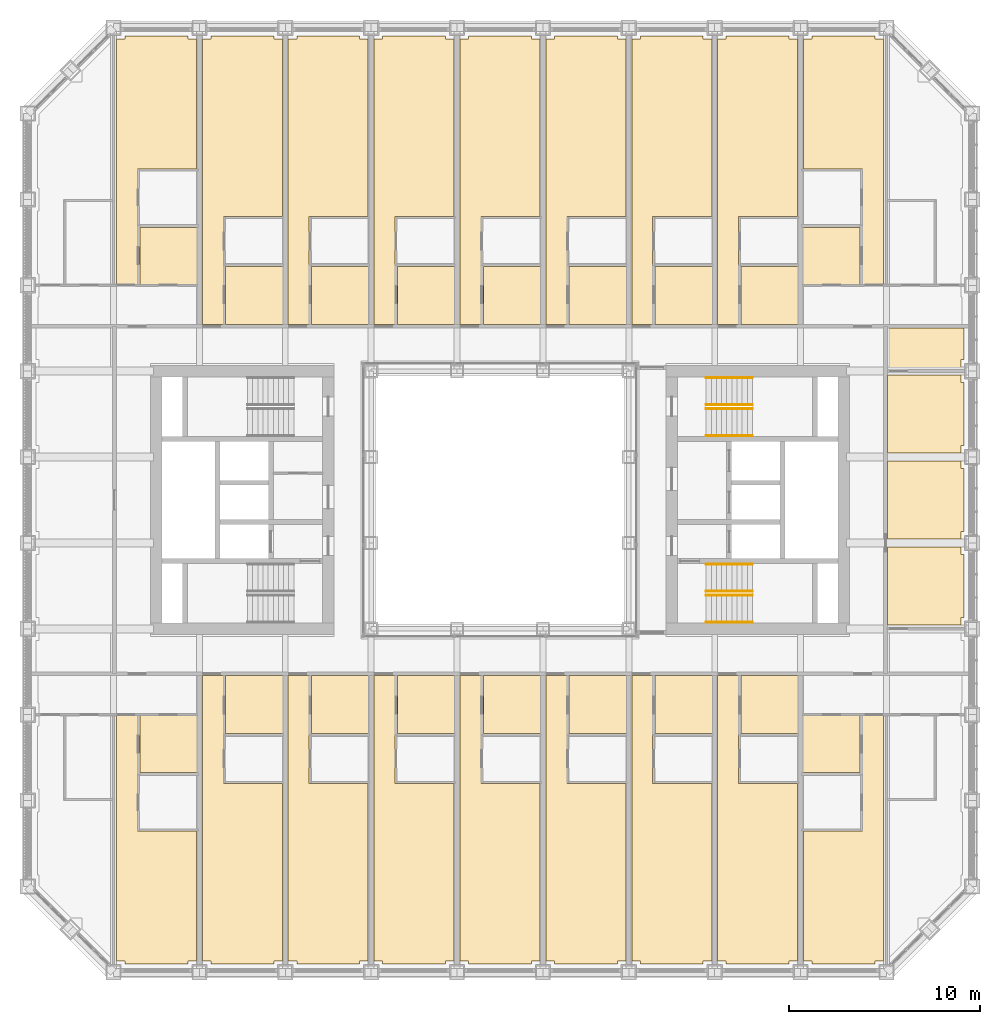
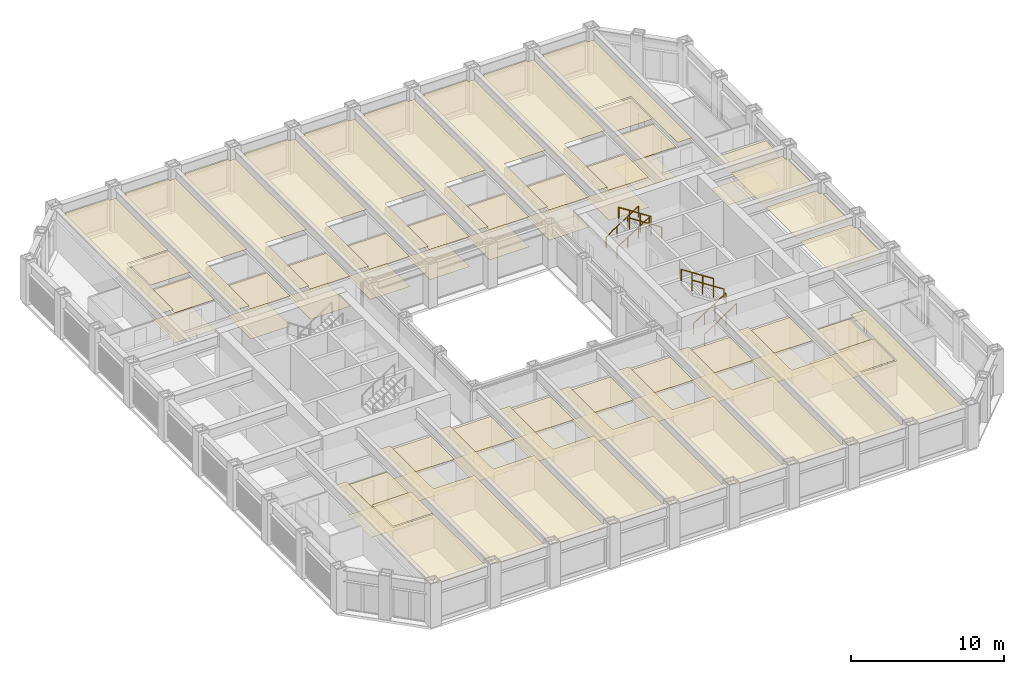
# One storey, part 20 of 21: 8 railings, 3 coverings.
"""IFC4 building model written with IfcOpenShell, lengths in metres."""

from ifc_helpers import new_model, si_unit, direction, frame, origin, origin_2d, place, context, subcontext, project, spatial, line, indexed_curve, circle, outline, extrude, material, layer, layer_set, type_object, element, save


model = new_model("IFC4")

# Units and contexts
model_context = context("Model", 3, precision=1e-05, world=origin(), true_north=direction((0.0, 1.0)))
body_context = subcontext(model_context, "Body", "Model", "MODEL_VIEW")
ifc_project = project(units=[si_unit("LENGTHUNIT", "METRE"), si_unit("AREAUNIT", "SQUARE_METRE"), si_unit("VOLUMEUNIT", "CUBIC_METRE"), si_unit("PLANEANGLEUNIT", "RADIAN"), si_unit("MASSUNIT", "GRAM", prefix="KILO")], contexts=[model_context])

# Site, building, storey
site_placement = place(None, origin())
site = spatial("IfcSite", under=ifc_project, at=site_placement, CompositionType="ELEMENT")
building_placement = place(site_placement, origin())
building = spatial("IfcBuilding", under=site, at=building_placement, Name="Msasa Ring Tower", CompositionType="ELEMENT")
storey_placement = place(building_placement, frame((0.0, 0.0, 33.5)))
storey = spatial("IfcBuildingStorey", under=building, at=storey_placement, Name="L07", CompositionType="ELEMENT", Elevation=33.5)

# Coverings
ifc_material_1 = material(Name="Gypsum plasterboard on a steel suspension grid", Category="steel")
ifc_layer_1 = layer(ifc_material_1, 0.014892578125)
ifc_layer_set_1 = layer_set([ifc_layer_1], Name="C1 SUSPENDED PLASTERBOARD CEILING 15")
covering_type_1 = type_object("IfcCoveringType", Name="C1 SUSPENDED PLASTERBOARD CEILING 15", PredefinedType="CEILING", material=ifc_layer_set_1)
covering_1_placement = place(storey_placement, frame((0.0, 0.0, 2.699951171875)))
element("IfcCovering", 1, at=covering_1_placement, inside=storey, type_object=covering_type_1, Name="Suspended Plasterboard Ceiling 15 L07", PredefinedType="CEILING", context=body_context, shape_type="SweptSolid", body=[
    extrude(outline(indexed_curve([(-19.6494140625, -24.299560546875), (-19.6494140625, -24.1494140625), (-20.095703125, -24.1494140625), (-20.095703125, -11.300537109375), (-19.00048828125, -11.300537109375), (-19.00048828125, -17.34130859375), (-15.904296875, -17.34130859375), (-15.904296875, -24.1494140625), (-16.3505859375, -24.1494140625), (-16.3505859375, -24.299560546875)], segments=[line(1, 2, 3, 4, 5, 6, 7, 8, 9, 10, 1)], self_intersect=False)), origin(), (0.0, 0.0, 1.0), 0.01513671875),
    extrude(outline(indexed_curve([(-19.00048828125, 11.300537109375), (-20.095703125, 11.300537109375), (-20.095703125, 24.1494140625), (-19.6494140625, 24.1494140625), (-19.6494140625, 24.299560546875), (-16.3505859375, 24.299560546875), (-16.3505859375, 24.1494140625), (-15.904296875, 24.1494140625), (-15.904296875, 17.34130859375), (-19.00048828125, 17.34130859375)], segments=[line(1, 2, 3, 4, 5, 6, 7, 8, 9, 10, 1)], self_intersect=False)), origin(), (0.0, 0.0, 1.0), 0.01513671875),
    extrude(outline(indexed_curve([(-18.8994140625, -14.430419921875), (-15.904296875, -14.430419921875), (-15.904296875, -17.2353515625), (-18.8994140625, -17.2353515625)], segments=[line(1, 2, 3, 4, 1)], self_intersect=False)), origin(), (0.0, 0.0, 1.0), 0.01513671875),
    extrude(outline(indexed_curve([(-15.904296875, 17.2353515625), (-15.904296875, 14.430419921875), (-18.8994140625, 14.430419921875), (-18.8994140625, 17.2353515625)], segments=[line(1, 2, 3, 4, 1)], self_intersect=False)), origin(), (0.0, 0.0, 1.0), 0.01513671875),
    extrude(outline(indexed_curve([(-15.1494140625, -24.299560546875), (-15.1494140625, -24.1494140625), (-15.595703125, -24.1494140625), (-15.595703125, -9.200439453125), (-14.50048828125, -9.200439453125), (-14.50048828125, -14.8505859375), (-11.404296875, -14.8505859375), (-11.404296875, -24.1494140625), (-11.8505859375, -24.1494140625), (-11.8505859375, -24.299560546875)], segments=[line(1, 2, 3, 4, 5, 6, 7, 8, 9, 10, 1)], self_intersect=False)), origin(), (0.0, 0.0, 1.0), 0.01513671875),
    extrude(outline(indexed_curve([(-11.8505859375, 24.299560546875), (-11.8505859375, 24.1494140625), (-11.404296875, 24.1494140625), (-11.404296875, 14.8505859375), (-14.50048828125, 14.8505859375), (-14.50048828125, 9.200439453125), (-15.595703125, 9.200439453125), (-15.595703125, 24.1494140625), (-15.1494140625, 24.1494140625), (-15.1494140625, 24.299560546875)], segments=[line(1, 2, 3, 4, 5, 6, 7, 8, 9, 10, 1)], self_intersect=False)), origin(), (0.0, 0.0, 1.0), 0.01513671875),
    extrude(outline(indexed_curve([(-10.6494140625, -24.299560546875), (-10.6494140625, -24.1494140625), (-11.095703125, -24.1494140625), (-11.095703125, -9.200439453125), (-10.00048828125, -9.200439453125), (-10.00048828125, -14.8505859375), (-6.904296875, -14.8505859375), (-6.904296875, -24.1494140625), (-7.3505859375, -24.1494140625), (-7.3505859375, -24.299560546875)], segments=[line(1, 2, 3, 4, 5, 6, 7, 8, 9, 10, 1)], self_intersect=False)), origin(), (0.0, 0.0, 1.0), 0.01513671875),
    extrude(outline(indexed_curve([(-11.095703125, 9.200439453125), (-11.095703125, 24.1494140625), (-10.6494140625, 24.1494140625), (-10.6494140625, 24.299560546875), (-7.3505859375, 24.299560546875), (-7.3505859375, 24.1494140625), (-6.904296875, 24.1494140625), (-6.904296875, 14.8505859375), (-10.00048828125, 14.8505859375), (-10.00048828125, 9.200439453125)], segments=[line(1, 2, 3, 4, 5, 6, 7, 8, 9, 10, 1)], self_intersect=False)), origin(), (0.0, 0.0, 1.0), 0.01513671875),
    extrude(outline(indexed_curve([(-5.50048828125, -9.200439453125), (-5.50048828125, -14.8505859375), (-2.404296875, -14.8505859375), (-2.404296875, -24.1494140625), (-2.8505859375, -24.1494140625), (-2.8505859375, -24.299560546875), (-6.1494140625, -24.299560546875), (-6.1494140625, -24.1494140625), (-6.595703125, -24.1494140625), (-6.595703125, -9.200439453125)], segments=[line(1, 2, 3, 4, 5, 6, 7, 8, 9, 10, 1)], self_intersect=False)), origin(), (0.0, 0.0, 1.0), 0.01513671875),
    extrude(outline(indexed_curve([(-2.8505859375, 24.299560546875), (-2.8505859375, 24.1494140625), (-2.404296875, 24.1494140625), (-2.404296875, 14.8505859375), (-5.50048828125, 14.8505859375), (-5.50048828125, 9.200439453125), (-6.595703125, 9.200439453125), (-6.595703125, 24.1494140625), (-6.1494140625, 24.1494140625), (-6.1494140625, 24.299560546875)], segments=[line(1, 2, 3, 4, 5, 6, 7, 8, 9, 10, 1)], self_intersect=False)), origin(), (0.0, 0.0, 1.0), 0.01513671875),
    extrude(outline(indexed_curve([(-1.00048828125, -9.200439453125), (-1.00048828125, -14.8505859375), (2.095703125, -14.8505859375), (2.095703125, -24.1494140625), (1.6494140625, -24.1494140625), (1.6494140625, -24.299560546875), (-1.6494140625, -24.299560546875), (-1.6494140625, -24.1494140625), (-2.095703125, -24.1494140625), (-2.095703125, -9.200439453125)], segments=[line(1, 2, 3, 4, 5, 6, 7, 8, 9, 10, 1)], self_intersect=False)), origin(), (0.0, 0.0, 1.0), 0.01513671875),
    extrude(outline(indexed_curve([(1.6494140625, 24.299560546875), (1.6494140625, 24.1494140625), (2.095703125, 24.1494140625), (2.095703125, 14.8505859375), (-1.00048828125, 14.8505859375), (-1.00048828125, 9.200439453125), (-2.095703125, 9.200439453125), (-2.095703125, 24.1494140625), (-1.6494140625, 24.1494140625), (-1.6494140625, 24.299560546875)], segments=[line(1, 2, 3, 4, 5, 6, 7, 8, 9, 10, 1)], self_intersect=False)), origin(), (0.0, 0.0, 1.0), 0.01513671875),
    extrude(outline(indexed_curve([(3.49951171875, -9.200439453125), (3.49951171875, -14.8505859375), (6.595703125, -14.8505859375), (6.595703125, -24.1494140625), (6.1494140625, -24.1494140625), (6.1494140625, -24.299560546875), (2.8505859375, -24.299560546875), (2.8505859375, -24.1494140625), (2.404296875, -24.1494140625), (2.404296875, -9.200439453125)], segments=[line(1, 2, 3, 4, 5, 6, 7, 8, 9, 10, 1)], self_intersect=False)), origin(), (0.0, 0.0, 1.0), 0.01513671875),
    extrude(outline(indexed_curve([(6.1494140625, 24.299560546875), (6.1494140625, 24.1494140625), (6.595703125, 24.1494140625), (6.595703125, 14.8505859375), (3.49951171875, 14.8505859375), (3.49951171875, 9.200439453125), (2.404296875, 9.200439453125), (2.404296875, 24.1494140625), (2.8505859375, 24.1494140625), (2.8505859375, 24.299560546875)], segments=[line(1, 2, 3, 4, 5, 6, 7, 8, 9, 10, 1)], self_intersect=False)), origin(), (0.0, 0.0, 1.0), 0.01513671875),
    extrude(outline(indexed_curve([(7.3505859375, -24.299560546875), (7.3505859375, -24.1494140625), (6.904296875, -24.1494140625), (6.904296875, -9.200439453125), (7.99951171875, -9.200439453125), (7.99951171875, -14.8505859375), (11.095703125, -14.8505859375), (11.095703125, -24.1494140625), (10.6494140625, -24.1494140625), (10.6494140625, -24.299560546875)], segments=[line(1, 2, 3, 4, 5, 6, 7, 8, 9, 10, 1)], self_intersect=False)), origin(), (0.0, 0.0, 1.0), 0.01513671875),
    extrude(outline(indexed_curve([(6.904296875, 9.200439453125), (6.904296875, 24.1494140625), (7.3505859375, 24.1494140625), (7.3505859375, 24.299560546875), (10.6494140625, 24.299560546875), (10.6494140625, 24.1494140625), (11.095703125, 24.1494140625), (11.095703125, 14.8505859375), (7.99951171875, 14.8505859375), (7.99951171875, 9.200439453125)], segments=[line(1, 2, 3, 4, 5, 6, 7, 8, 9, 10, 1)], self_intersect=False)), origin(), (0.0, 0.0, 1.0), 0.01513671875),
    extrude(outline(indexed_curve([(12.49951171875, -9.200439453125), (12.49951171875, -14.8505859375), (15.595703125, -14.8505859375), (15.595703125, -24.1494140625), (15.1494140625, -24.1494140625), (15.1494140625, -24.299560546875), (11.8505859375, -24.299560546875), (11.8505859375, -24.1494140625), (11.404296875, -24.1494140625), (11.404296875, -9.200439453125)], segments=[line(1, 2, 3, 4, 5, 6, 7, 8, 9, 10, 1)], self_intersect=False)), origin(), (0.0, 0.0, 1.0), 0.01513671875),
    extrude(outline(indexed_curve([(15.1494140625, 24.299560546875), (15.1494140625, 24.1494140625), (15.595703125, 24.1494140625), (15.595703125, 14.8505859375), (12.49951171875, 14.8505859375), (12.49951171875, 9.200439453125), (11.404296875, 9.200439453125), (11.404296875, 24.1494140625), (11.8505859375, 24.1494140625), (11.8505859375, 24.299560546875)], segments=[line(1, 2, 3, 4, 5, 6, 7, 8, 9, 10, 1)], self_intersect=False)), origin(), (0.0, 0.0, 1.0), 0.01513671875),
    extrude(outline(indexed_curve([(20.095703125, -11.300537109375), (20.095703125, -24.1494140625), (19.6494140625, -24.1494140625), (19.6494140625, -24.299560546875), (16.3505859375, -24.299560546875), (16.3505859375, -24.1494140625), (15.904296875, -24.1494140625), (15.904296875, -17.34130859375), (19.00048828125, -17.34130859375), (19.00048828125, -11.300537109375)], segments=[line(1, 2, 3, 4, 5, 6, 7, 8, 9, 10, 1)], self_intersect=False)), origin(), (0.0, 0.0, 1.0), 0.01513671875),
    extrude(outline(indexed_curve([(18.8994140625, -14.430419921875), (18.8994140625, -17.2353515625), (15.904296875, -17.2353515625), (15.904296875, -14.430419921875)], segments=[line(1, 2, 3, 4, 1)], self_intersect=False)), origin(), (0.0, 0.0, 1.0), 0.01513671875),
    extrude(outline(indexed_curve([(19.00048828125, 11.300537109375), (19.00048828125, 17.34130859375), (15.904296875, 17.34130859375), (15.904296875, 24.1494140625), (16.3505859375, 24.1494140625), (16.3505859375, 24.299560546875), (19.6494140625, 24.299560546875), (19.6494140625, 24.1494140625), (20.095703125, 24.1494140625), (20.095703125, 11.300537109375)], segments=[line(1, 2, 3, 4, 5, 6, 7, 8, 9, 10, 1)], self_intersect=False)), origin(), (0.0, 0.0, 1.0), 0.01513671875),
    extrude(outline(indexed_curve([(18.8994140625, 17.2353515625), (18.8994140625, 14.430419921875), (15.904296875, 14.430419921875), (15.904296875, 17.2353515625)], segments=[line(1, 2, 3, 4, 1)], self_intersect=False)), origin(), (0.0, 0.0, 1.0), 0.01513671875),
    extrude(outline(indexed_curve([(20.300537109375, -2.460693359375), (24.1494140625, -2.460693359375), (24.1494140625, -2.8505859375), (24.299560546875, -2.8505859375), (24.299560546875, -6.1494140625), (24.1494140625, -6.1494140625), (24.1494140625, -6.539306640625), (20.300537109375, -6.539306640625)], segments=[line(1, 2, 3, 4, 5, 6, 7, 8, 1)], self_intersect=False)), origin(), (0.0, 0.0, 1.0), 0.01513671875),
    extrude(outline(indexed_curve([(20.300537109375, 2.039306640625), (24.1494140625, 2.039306640625), (24.1494140625, 1.6494140625), (24.299560546875, 1.6494140625), (24.299560546875, -1.6494140625), (24.1494140625, -1.6494140625), (24.1494140625, -2.039306640625), (20.300537109375, -2.039306640625)], segments=[line(1, 2, 3, 4, 5, 6, 7, 8, 1)], self_intersect=False)), origin(), (0.0, 0.0, 1.0), 0.01513671875),
    extrude(outline(indexed_curve([(20.300537109375, 6.539306640625), (24.1494140625, 6.539306640625), (24.1494140625, 6.1494140625), (24.299560546875, 6.1494140625), (24.299560546875, 2.8505859375), (24.1494140625, 2.8505859375), (24.1494140625, 2.460693359375), (20.300537109375, 2.460693359375)], segments=[line(1, 2, 3, 4, 5, 6, 7, 8, 1)], self_intersect=False)), origin(), (0.0, 0.0, 1.0), 0.01513671875),
])
ifc_material_2 = material(Name="Moisture-resistant gypsum plasterboard on a steel suspension grid", Category="steel")
ifc_layer_2 = layer(ifc_material_2, 0.014892578125)
ifc_layer_set_2 = layer_set([ifc_layer_2], Name="C2 MOISTURE-RESISTANT PLASTERBOARD CEILING 15")
covering_type_2 = type_object("IfcCoveringType", Name="C2 MOISTURE-RESISTANT PLASTERBOARD CEILING 15", PredefinedType="CEILING", material=ifc_layer_set_2)
covering_2_placement = place(storey_placement, frame((0.0, 0.0, 2.39990234375)))
element("IfcCovering", 2, at=covering_2_placement, inside=storey, type_object=covering_type_2, Name="Moisture-Resistant Plasterboard Ceiling 15 L07", PredefinedType="CEILING", context=body_context, shape_type="SweptSolid", body=[
    extrude(outline(indexed_curve([(-18.8994140625, -11.300537109375), (-15.904296875, -11.300537109375), (-15.904296875, -14.299560546875), (-18.8994140625, -14.299560546875)], segments=[line(1, 2, 3, 4, 1)], self_intersect=False)), origin(), (0.0, 0.0, 1.0), 0.01513671875),
    extrude(outline(indexed_curve([(-18.8994140625, 14.299560546875), (-15.904296875, 14.299560546875), (-15.904296875, 11.300537109375), (-18.8994140625, 11.300537109375)], segments=[line(1, 2, 3, 4, 1)], self_intersect=False)), origin(), (0.0, 0.0, 1.0), 0.01513671875),
    extrude(outline(indexed_curve([(-14.3994140625, -9.200439453125), (-11.404296875, -9.200439453125), (-11.404296875, -12.24951171875), (-14.3994140625, -12.24951171875)], segments=[line(1, 2, 3, 4, 1)], self_intersect=False)), origin(), (0.0, 0.0, 1.0), 0.01513671875),
    extrude(outline(indexed_curve([(-14.3994140625, 12.24951171875), (-11.404296875, 12.24951171875), (-11.404296875, 9.200439453125), (-14.3994140625, 9.200439453125)], segments=[line(1, 2, 3, 4, 1)], self_intersect=False)), origin(), (0.0, 0.0, 1.0), 0.01513671875),
    extrude(outline(indexed_curve([(-9.8994140625, -9.200439453125), (-6.904296875, -9.200439453125), (-6.904296875, -12.24951171875), (-9.8994140625, -12.24951171875)], segments=[line(1, 2, 3, 4, 1)], self_intersect=False)), origin(), (0.0, 0.0, 1.0), 0.01513671875),
    extrude(outline(indexed_curve([(-9.8994140625, 12.24951171875), (-6.904296875, 12.24951171875), (-6.904296875, 9.200439453125), (-9.8994140625, 9.200439453125)], segments=[line(1, 2, 3, 4, 1)], self_intersect=False)), origin(), (0.0, 0.0, 1.0), 0.01513671875),
    extrude(outline(indexed_curve([(-5.3994140625, -9.200439453125), (-2.404296875, -9.200439453125), (-2.404296875, -12.24951171875), (-5.3994140625, -12.24951171875)], segments=[line(1, 2, 3, 4, 1)], self_intersect=False)), origin(), (0.0, 0.0, 1.0), 0.01513671875),
    extrude(outline(indexed_curve([(-2.404296875, 12.24951171875), (-2.404296875, 9.200439453125), (-5.3994140625, 9.200439453125), (-5.3994140625, 12.24951171875)], segments=[line(1, 2, 3, 4, 1)], self_intersect=False)), origin(), (0.0, 0.0, 1.0), 0.01513671875),
    extrude(outline(indexed_curve([(-0.8994140625, -9.200439453125), (2.095703125, -9.200439453125), (2.095703125, -12.24951171875), (-0.8994140625, -12.24951171875)], segments=[line(1, 2, 3, 4, 1)], self_intersect=False)), origin(), (0.0, 0.0, 1.0), 0.01513671875),
    extrude(outline(indexed_curve([(2.095703125, 12.24951171875), (2.095703125, 9.200439453125), (-0.8994140625, 9.200439453125), (-0.8994140625, 12.24951171875)], segments=[line(1, 2, 3, 4, 1)], self_intersect=False)), origin(), (0.0, 0.0, 1.0), 0.01513671875),
    extrude(outline(indexed_curve([(3.6005859375, -9.200439453125), (6.595703125, -9.200439453125), (6.595703125, -12.24951171875), (3.6005859375, -12.24951171875)], segments=[line(1, 2, 3, 4, 1)], self_intersect=False)), origin(), (0.0, 0.0, 1.0), 0.01513671875),
    extrude(outline(indexed_curve([(3.6005859375, 12.24951171875), (6.595703125, 12.24951171875), (6.595703125, 9.200439453125), (3.6005859375, 9.200439453125)], segments=[line(1, 2, 3, 4, 1)], self_intersect=False)), origin(), (0.0, 0.0, 1.0), 0.01513671875),
    extrude(outline(indexed_curve([(11.095703125, -9.200439453125), (11.095703125, -12.24951171875), (8.1005859375, -12.24951171875), (8.1005859375, -9.200439453125)], segments=[line(1, 2, 3, 4, 1)], self_intersect=False)), origin(), (0.0, 0.0, 1.0), 0.01513671875),
    extrude(outline(indexed_curve([(8.1005859375, 12.24951171875), (11.095703125, 12.24951171875), (11.095703125, 9.200439453125), (8.1005859375, 9.200439453125)], segments=[line(1, 2, 3, 4, 1)], self_intersect=False)), origin(), (0.0, 0.0, 1.0), 0.01513671875),
    extrude(outline(indexed_curve([(15.595703125, -9.200439453125), (15.595703125, -12.24951171875), (12.6005859375, -12.24951171875), (12.6005859375, -9.200439453125)], segments=[line(1, 2, 3, 4, 1)], self_intersect=False)), origin(), (0.0, 0.0, 1.0), 0.01513671875),
    extrude(outline(indexed_curve([(15.595703125, 12.24951171875), (15.595703125, 9.200439453125), (12.6005859375, 9.200439453125), (12.6005859375, 12.24951171875)], segments=[line(1, 2, 3, 4, 1)], self_intersect=False)), origin(), (0.0, 0.0, 1.0), 0.01513671875),
    extrude(outline(indexed_curve([(18.8994140625, -11.300537109375), (18.8994140625, -14.299560546875), (15.904296875, -14.299560546875), (15.904296875, -11.300537109375)], segments=[line(1, 2, 3, 4, 1)], self_intersect=False)), origin(), (0.0, 0.0, 1.0), 0.01513671875),
    extrude(outline(indexed_curve([(18.8994140625, 14.299560546875), (18.8994140625, 11.300537109375), (15.904296875, 11.300537109375), (15.904296875, 14.299560546875)], segments=[line(1, 2, 3, 4, 1)], self_intersect=False)), origin(), (0.0, 0.0, 1.0), 0.01513671875),
    extrude(outline(indexed_curve([(24.299560546875, 8.99951171875), (24.299560546875, 7.3505859375), (24.1494140625, 7.3505859375), (24.1494140625, 6.960693359375), (20.404296875, 6.960693359375), (20.404296875, 8.99951171875)], segments=[line(1, 2, 3, 4, 5, 6, 1)], self_intersect=False)), origin(), (0.0, 0.0, 1.0), 0.01513671875),
])
ifc_material_3 = material(Name="Porcelain floor tiles in adhesive", Category="ceramic")
ifc_layer_3 = layer(ifc_material_3, 0.010009765625)
ifc_layer_set_3 = layer_set([ifc_layer_3], Name="F4 PORCELAIN TILE ON ADHESIVE 10")
covering_type_3 = type_object("IfcCoveringType", Name="F4 PORCELAIN TILE ON ADHESIVE 10", PredefinedType="FLOORING", material=ifc_layer_set_3)
covering_3_placement = place(storey_placement, origin())
element("IfcCovering", 3, at=covering_3_placement, inside=storey, type_object=covering_type_3, Name="Porcelain Tile On Adhesive 10 L07", PredefinedType="FLOORING", context=body_context, shape_type="SweptSolid", body=[
    extrude(outline(indexed_curve([(-15.87548828125, -11.300537109375), (-15.87548828125, -14.2744140625), (-18.87451171875, -14.2744140625), (-18.87451171875, -11.300537109375)], segments=[line(1, 2, 3, 4, 1)], self_intersect=False)), origin(), (0.0, 0.0, 1.0), 0.010009765625),
    extrude(outline(indexed_curve([(-18.87451171875, 11.300537109375), (-18.87451171875, 14.2744140625), (-15.87548828125, 14.2744140625), (-15.87548828125, 11.300537109375)], segments=[line(1, 2, 3, 4, 1)], self_intersect=False)), origin(), (0.0, 0.0, 1.0), 0.010009765625),
    extrude(outline(indexed_curve([(-11.37548828125, -9.200439453125), (-11.37548828125, -12.224609375), (-14.37451171875, -12.224609375), (-14.37451171875, -9.200439453125)], segments=[line(1, 2, 3, 4, 1)], self_intersect=False)), origin(), (0.0, 0.0, 1.0), 0.010009765625),
    extrude(outline(indexed_curve([(-14.37451171875, 9.200439453125), (-14.37451171875, 12.224609375), (-11.37548828125, 12.224609375), (-11.37548828125, 9.200439453125)], segments=[line(1, 2, 3, 4, 1)], self_intersect=False)), origin(), (0.0, 0.0, 1.0), 0.010009765625),
    extrude(outline(indexed_curve([(-6.87548828125, -9.200439453125), (-6.87548828125, -12.224609375), (-9.87451171875, -12.224609375), (-9.87451171875, -9.200439453125)], segments=[line(1, 2, 3, 4, 1)], self_intersect=False)), origin(), (0.0, 0.0, 1.0), 0.010009765625),
    extrude(outline(indexed_curve([(-9.87451171875, 9.200439453125), (-9.87451171875, 12.224609375), (-6.87548828125, 12.224609375), (-6.87548828125, 9.200439453125)], segments=[line(1, 2, 3, 4, 1)], self_intersect=False)), origin(), (0.0, 0.0, 1.0), 0.010009765625),
    extrude(outline(indexed_curve([(-2.37548828125, -9.200439453125), (-2.37548828125, -12.224609375), (-5.37451171875, -12.224609375), (-5.37451171875, -9.200439453125)], segments=[line(1, 2, 3, 4, 1)], self_intersect=False)), origin(), (0.0, 0.0, 1.0), 0.010009765625),
    extrude(outline(indexed_curve([(-5.37451171875, 9.200439453125), (-5.37451171875, 12.224609375), (-2.37548828125, 12.224609375), (-2.37548828125, 9.200439453125)], segments=[line(1, 2, 3, 4, 1)], self_intersect=False)), origin(), (0.0, 0.0, 1.0), 0.010009765625),
    extrude(outline(indexed_curve([(2.12451171875, -9.200439453125), (2.12451171875, -12.224609375), (-0.87451171875, -12.224609375), (-0.87451171875, -9.200439453125)], segments=[line(1, 2, 3, 4, 1)], self_intersect=False)), origin(), (0.0, 0.0, 1.0), 0.010009765625),
    extrude(outline(indexed_curve([(-0.87451171875, 9.200439453125), (-0.87451171875, 12.224609375), (2.12451171875, 12.224609375), (2.12451171875, 9.200439453125)], segments=[line(1, 2, 3, 4, 1)], self_intersect=False)), origin(), (0.0, 0.0, 1.0), 0.010009765625),
    extrude(outline(indexed_curve([(6.62451171875, -9.200439453125), (6.62451171875, -12.224609375), (3.62548828125, -12.224609375), (3.62548828125, -9.200439453125)], segments=[line(1, 2, 3, 4, 1)], self_intersect=False)), origin(), (0.0, 0.0, 1.0), 0.010009765625),
    extrude(outline(indexed_curve([(3.62548828125, 9.200439453125), (3.62548828125, 12.224609375), (6.62451171875, 12.224609375), (6.62451171875, 9.200439453125)], segments=[line(1, 2, 3, 4, 1)], self_intersect=False)), origin(), (0.0, 0.0, 1.0), 0.010009765625),
    extrude(outline(indexed_curve([(11.12451171875, -9.200439453125), (11.12451171875, -12.224609375), (8.12548828125, -12.224609375), (8.12548828125, -9.200439453125)], segments=[line(1, 2, 3, 4, 1)], self_intersect=False)), origin(), (0.0, 0.0, 1.0), 0.010009765625),
    extrude(outline(indexed_curve([(8.12548828125, 9.200439453125), (8.12548828125, 12.224609375), (11.12451171875, 12.224609375), (11.12451171875, 9.200439453125)], segments=[line(1, 2, 3, 4, 1)], self_intersect=False)), origin(), (0.0, 0.0, 1.0), 0.010009765625),
    extrude(outline(indexed_curve([(15.62451171875, -9.200439453125), (15.62451171875, -12.224609375), (12.62548828125, -12.224609375), (12.62548828125, -9.200439453125)], segments=[line(1, 2, 3, 4, 1)], self_intersect=False)), origin(), (0.0, 0.0, 1.0), 0.010009765625),
    extrude(outline(indexed_curve([(12.62548828125, 9.200439453125), (12.62548828125, 12.224609375), (15.62451171875, 12.224609375), (15.62451171875, 9.200439453125)], segments=[line(1, 2, 3, 4, 1)], self_intersect=False)), origin(), (0.0, 0.0, 1.0), 0.010009765625),
    extrude(outline(indexed_curve([(18.87451171875, -11.300537109375), (18.87451171875, -14.2744140625), (15.87548828125, -14.2744140625), (15.87548828125, -11.300537109375)], segments=[line(1, 2, 3, 4, 1)], self_intersect=False)), origin(), (0.0, 0.0, 1.0), 0.010009765625),
    extrude(outline(indexed_curve([(15.87548828125, 11.300537109375), (15.87548828125, 14.2744140625), (18.87451171875, 14.2744140625), (18.87451171875, 11.300537109375)], segments=[line(1, 2, 3, 4, 1)], self_intersect=False)), origin(), (0.0, 0.0, 1.0), 0.010009765625),
    extrude(outline(indexed_curve([(20.300537109375, 8.99951171875), (24.299560546875, 8.99951171875), (24.299560546875, 7.3505859375), (24.1494140625, 7.3505859375), (24.1494140625, 6.83056640625), (20.300537109375, 6.83056640625)], segments=[line(1, 2, 3, 4, 5, 6, 1)], self_intersect=False)), origin(), (0.0, 0.0, 1.0), 0.010009765625),
])

# Railings
ifc_material_4 = material(Name="Stainless steel", Category="steel")
railing_type = type_object("IfcRailingType", Name="HR1 HANDRAIL 900", PredefinedType="HANDRAIL", material=ifc_material_4)
for number, where, name in (
    (4, (10.800048828125, -6.39990234375, 0.175048828125), "Handrail stair SEA L07 1"),
    (5, (10.800048828125, -5.0, 0.175048828125), "Handrail stair SEA L07 2"),
):
    element("IfcRailing", number, at=place(storey_placement, frame(where)), inside=storey, type_object=railing_type, Name=name, PredefinedType="HANDRAIL", context=body_context, shape_type="SweptSolid", body=[
        extrude(circle(Radius=0.02392578125, at=origin_2d()), frame((0.0, 0.0, 0.8759765625), z_axis=(0.839153699163, 0.0, 0.543894354798), x_axis=(0.0, 1.0, 0.0)), (0.0, 0.0, 1.0), 2.895751953125),
        extrude(circle(Radius=0.02099609375, at=origin_2d()), origin(), (0.0, 0.0, 1.0), 0.851806640625),
        extrude(circle(Radius=0.02099609375, at=origin_2d()), frame((0.81005859375, 0.0, 0.52490234375)), (0.0, 0.0, 1.0), 0.851806640625),
        extrude(circle(Radius=0.02099609375, at=origin_2d()), frame((1.619873046875, 0.0, 1.050048828125)), (0.0, 0.0, 1.0), 0.851806640625),
        extrude(circle(Radius=0.02099609375, at=origin_2d()), frame((2.429931640625, 0.0, 1.574951171875)), (0.0, 0.0, 1.0), 0.851806640625),
    ])
for number, where, name in (
    (6, (13.22998046875, -4.77490234375, 1.925048828125), "Handrail stair SEA L07 3"),
    (7, (13.22998046875, -3.375, 1.925048828125), "Handrail stair SEA L07 4"),
):
    element("IfcRailing", number, at=place(storey_placement, frame(where)), inside=storey, type_object=railing_type, Name=name, PredefinedType="HANDRAIL", context=body_context, shape_type="SweptSolid", body=[
        extrude(circle(Radius=0.02392578125, at=origin_2d()), frame((0.0, 0.0, 0.8759765625), z_axis=(-0.839153699163, 0.0, 0.543894354798), x_axis=(0.0, -1.0, 0.0)), (0.0, 0.0, 1.0), 2.895751953125),
        extrude(circle(Radius=0.02099609375, at=origin_2d()), origin(), (0.0, 0.0, 1.0), 0.851806640625),
        extrude(circle(Radius=0.02099609375, at=origin_2d()), frame((-0.81005859375, 0.0, 0.52490234375)), (0.0, 0.0, 1.0), 0.851806640625),
        extrude(circle(Radius=0.02099609375, at=origin_2d()), frame((-1.619873046875, 0.0, 1.050048828125)), (0.0, 0.0, 1.0), 0.851806640625),
        extrude(circle(Radius=0.02099609375, at=origin_2d()), frame((-2.429931640625, 0.0, 1.574951171875)), (0.0, 0.0, 1.0), 0.851806640625),
    ])
for number, where, name in (
    (8, (10.800048828125, 5.0, 0.175048828125), "Handrail stair SEB L07 1"),
    (9, (10.800048828125, 6.39990234375, 0.175048828125), "Handrail stair SEB L07 2"),
):
    element("IfcRailing", number, at=place(storey_placement, frame(where)), inside=storey, type_object=railing_type, Name=name, PredefinedType="HANDRAIL", context=body_context, shape_type="SweptSolid", body=[
        extrude(circle(Radius=0.02392578125, at=origin_2d()), frame((0.0, 0.0, 0.8759765625), z_axis=(0.839153699163, 0.0, 0.543894354798), x_axis=(0.0, 1.0, 0.0)), (0.0, 0.0, 1.0), 2.895751953125),
        extrude(circle(Radius=0.02099609375, at=origin_2d()), origin(), (0.0, 0.0, 1.0), 0.851806640625),
        extrude(circle(Radius=0.02099609375, at=origin_2d()), frame((0.81005859375, 0.0, 0.52490234375)), (0.0, 0.0, 1.0), 0.851806640625),
        extrude(circle(Radius=0.02099609375, at=origin_2d()), frame((1.619873046875, 0.0, 1.050048828125)), (0.0, 0.0, 1.0), 0.851806640625),
        extrude(circle(Radius=0.02099609375, at=origin_2d()), frame((2.429931640625, 0.0, 1.574951171875)), (0.0, 0.0, 1.0), 0.851806640625),
    ])
for number, where, name in (
    (10, (13.22998046875, 3.375, 1.925048828125), "Handrail stair SEB L07 3"),
    (11, (13.22998046875, 4.77490234375, 1.925048828125), "Handrail stair SEB L07 4"),
):
    element("IfcRailing", number, at=place(storey_placement, frame(where)), inside=storey, type_object=railing_type, Name=name, PredefinedType="HANDRAIL", context=body_context, shape_type="SweptSolid", body=[
        extrude(circle(Radius=0.02392578125, at=origin_2d()), frame((0.0, 0.0, 0.8759765625), z_axis=(-0.839153699163, 0.0, 0.543894354798), x_axis=(0.0, -1.0, 0.0)), (0.0, 0.0, 1.0), 2.895751953125),
        extrude(circle(Radius=0.02099609375, at=origin_2d()), origin(), (0.0, 0.0, 1.0), 0.851806640625),
        extrude(circle(Radius=0.02099609375, at=origin_2d()), frame((-0.81005859375, 0.0, 0.52490234375)), (0.0, 0.0, 1.0), 0.851806640625),
        extrude(circle(Radius=0.02099609375, at=origin_2d()), frame((-1.619873046875, 0.0, 1.050048828125)), (0.0, 0.0, 1.0), 0.851806640625),
        extrude(circle(Radius=0.02099609375, at=origin_2d()), frame((-2.429931640625, 0.0, 1.574951171875)), (0.0, 0.0, 1.0), 0.851806640625),
    ])

save(model, "model.ifc")
